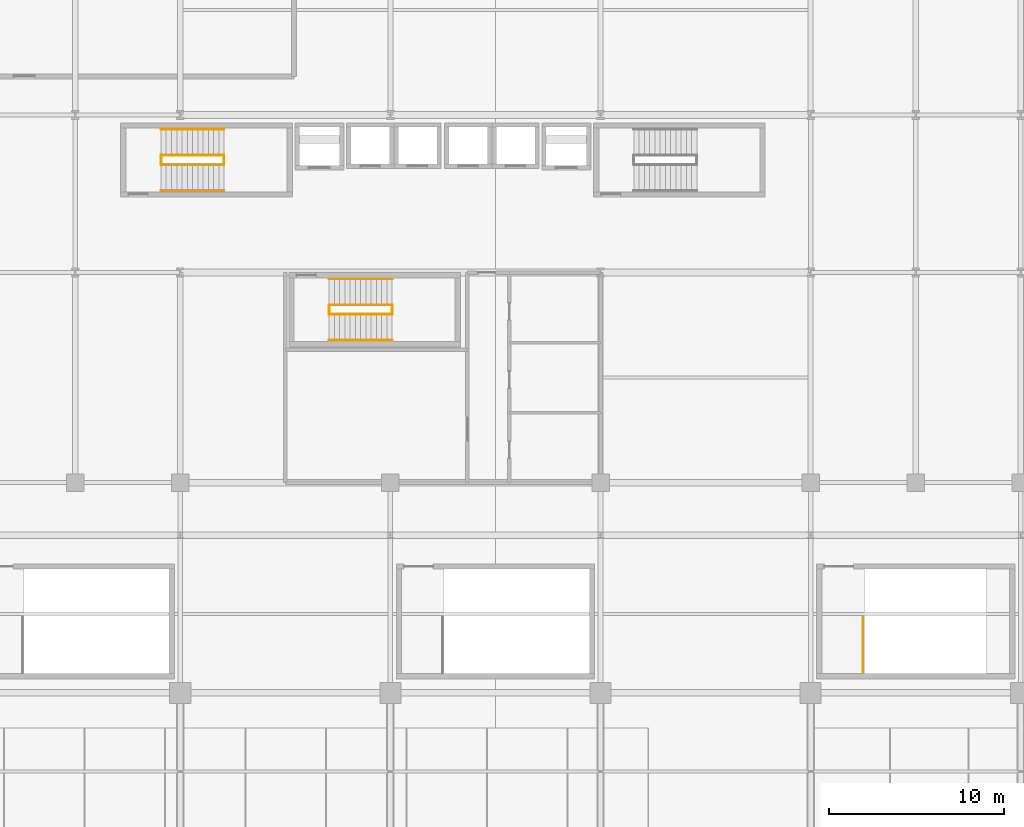
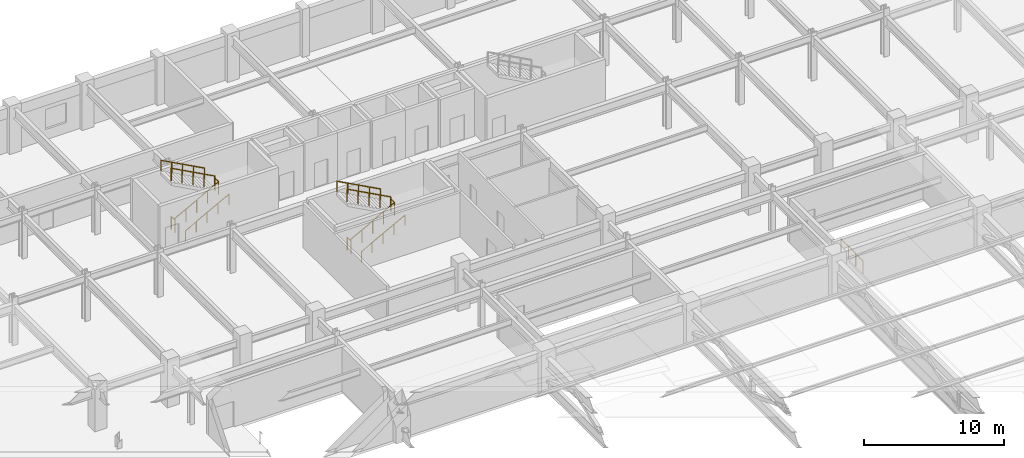
# One storey, part 106 of 108: 13 railings.
"""IFC4 building model written with IfcOpenShell, lengths in metres."""

from ifc_helpers import new_model, si_unit, direction, frame, origin, origin_2d, place, context, subcontext, project, spatial, circle, extrude, material, type_object, element, save


model = new_model("IFC4")

# Units and contexts
model_context = context("Model", 3, precision=1e-05, world=origin(), true_north=direction((0.0, 1.0)))
body_context = subcontext(model_context, "Body", "Model", "MODEL_VIEW")
ifc_project = project(units=[si_unit("LENGTHUNIT", "METRE"), si_unit("AREAUNIT", "SQUARE_METRE"), si_unit("VOLUMEUNIT", "CUBIC_METRE"), si_unit("PLANEANGLEUNIT", "RADIAN"), si_unit("MASSUNIT", "GRAM", prefix="KILO")], contexts=[model_context])

# Site, building, storey
site_placement = place(None, origin())
site = spatial("IfcSite", under=ifc_project, at=site_placement, CompositionType="ELEMENT")
building_placement = place(site_placement, origin())
building = spatial("IfcBuilding", under=site, at=building_placement, Name="Kaldorvane Square Convention Centre", CompositionType="ELEMENT")
storey_placement = place(building_placement, frame((0.0, 0.0, 23.399993896484375)))
storey = spatial("IfcBuildingStorey", under=building, at=storey_placement, Name="L04", CompositionType="ELEMENT", Elevation=23.399993896484375)

# Railings
ifc_material = material(Name="Architectural Painted Steel", Category="steel")
railing_type_1 = type_object("IfcRailingType", Name="RL-GUARD-1120", PredefinedType="BALUSTRADE", material=ifc_material)
for number, where, name in (
    (1, (40.899993896484375, 102.16999816894531, 0.0), "Tower Exit Stair T1 Floor Well Guard (L04)"),
    (2, (44.5, 102.16999816894531, 2.100006103515625), "Tower Exit Stair T1 Half-Landing Guard (L04)"),
):
    element("IfcRailing", number, at=place(storey_placement, frame(where)), inside=storey, type_object=railing_type_1, Name=name, PredefinedType="BALUSTRADE", context=body_context, shape_type="SweptSolid", body=[
        extrude(circle(Radius=0.0240020751953125, at=origin_2d()), frame((0.0, 0.0, 1.0959930419921875), z_axis=(0.0, 1.0, 0.0), x_axis=(-1.0, 0.0, 0.0)), (0.0, 0.0, 1.0), 0.5200042724609375),
        extrude(circle(Radius=0.02099609375, at=origin_2d()), origin(), (0.0, 0.0, 1.0), 1.071990966796875),
        extrude(circle(Radius=0.02099609375, at=origin_2d()), frame((0.0, 0.5200042724609375, 0.0)), (0.0, 0.0, 1.0), 1.071990966796875),
    ])
railing_1_placement = place(storey_placement, frame((40.899993896484375, 102.16000366210938, 0.1615447998046875)))
element("IfcRailing", 3, at=railing_1_placement, inside=storey, type_object=railing_type_1, Name="Tower Exit Stair T1 Flight 1 Guard (L04)", PredefinedType="BALUSTRADE", context=body_context, shape_type="SweptSolid", body=[
    extrude(circle(Radius=0.0240020751953125, at=origin_2d()), frame((0.0, 0.0, 1.0959930419921875), z_axis=(0.880471459419, 0.0, 0.474099155398), x_axis=(0.0, 1.0, 0.0)), (0.0, 0.0, 1.0), 4.0887298583984375),
    extrude(circle(Radius=0.02099609375, at=origin_2d()), origin(), (0.0, 0.0, 1.0), 1.071990966796875),
    extrude(circle(Radius=0.02099609375, at=origin_2d()), frame((0.899993896484375, 0.0, 0.484619140625)), (0.0, 0.0, 1.0), 1.071990966796875),
    extrude(circle(Radius=0.02099609375, at=origin_2d()), frame((1.8000030517578125, 0.0, 0.96923828125)), (0.0, 0.0, 1.0), 1.071990966796875),
    extrude(circle(Radius=0.02099609375, at=origin_2d()), frame((2.70001220703125, 0.0, 1.4538421630859375)), (0.0, 0.0, 1.0), 1.071990966796875),
    extrude(circle(Radius=0.02099609375, at=origin_2d()), frame((3.600006103515625, 0.0, 1.9384613037109375)), (0.0, 0.0, 1.0), 1.071990966796875),
])
railing_2_placement = place(storey_placement, frame((44.5, 102.69999694824219, 2.2615509033203125)))
element("IfcRailing", 4, at=railing_2_placement, inside=storey, type_object=railing_type_1, Name="Tower Exit Stair T1 Flight 2 Guard (L04)", PredefinedType="BALUSTRADE", context=body_context, shape_type="SweptSolid", body=[
    extrude(circle(Radius=0.0240020751953125, at=origin_2d()), frame((0.0, 0.0, 1.0959930419921875), z_axis=(-0.880471459419, 0.0, 0.474099155398), x_axis=(0.0, -1.0, 0.0)), (0.0, 0.0, 1.0), 4.0887298583984375),
    extrude(circle(Radius=0.02099609375, at=origin_2d()), origin(), (0.0, 0.0, 1.0), 1.071990966796875),
    extrude(circle(Radius=0.02099609375, at=origin_2d()), frame((-0.899993896484375, 0.0, 0.484619140625)), (0.0, 0.0, 1.0), 1.071990966796875),
    extrude(circle(Radius=0.02099609375, at=origin_2d()), frame((-1.8000030517578125, 0.0, 0.96923828125)), (0.0, 0.0, 1.0), 1.071990966796875),
    extrude(circle(Radius=0.02099609375, at=origin_2d()), frame((-2.70001220703125, 0.0, 1.4538421630859375)), (0.0, 0.0, 1.0), 1.071990966796875),
    extrude(circle(Radius=0.02099609375, at=origin_2d()), frame((-3.600006103515625, 0.0, 1.9384613037109375)), (0.0, 0.0, 1.0), 1.071990966796875),
])
for number, where, name in (
    (5, (50.5, 93.6199951171875, 0.0), "Tower Exit Stair T3 Floor Well Guard (L04)"),
    (6, (54.100006103515625, 93.6199951171875, 2.100006103515625), "Tower Exit Stair T3 Half-Landing Guard (L04)"),
):
    element("IfcRailing", number, at=place(storey_placement, frame(where)), inside=storey, type_object=railing_type_1, Name=name, PredefinedType="BALUSTRADE", context=body_context, shape_type="SweptSolid", body=[
        extrude(circle(Radius=0.0240020751953125, at=origin_2d()), frame((0.0, 0.0, 1.0959930419921875), z_axis=(0.0, 1.0, 0.0), x_axis=(-1.0, 0.0, 0.0)), (0.0, 0.0, 1.0), 0.5200042724609375),
        extrude(circle(Radius=0.02099609375, at=origin_2d()), origin(), (0.0, 0.0, 1.0), 1.071990966796875),
        extrude(circle(Radius=0.02099609375, at=origin_2d()), frame((0.0, 0.5200042724609375, 0.0)), (0.0, 0.0, 1.0), 1.071990966796875),
    ])
railing_3_placement = place(storey_placement, frame((50.5, 93.61000061035156, 0.1615447998046875)))
element("IfcRailing", 7, at=railing_3_placement, inside=storey, type_object=railing_type_1, Name="Tower Exit Stair T3 Flight 1 Guard (L04)", PredefinedType="BALUSTRADE", context=body_context, shape_type="SweptSolid", body=[
    extrude(circle(Radius=0.0240020751953125, at=origin_2d()), frame((0.0, 0.0, 1.0959930419921875), z_axis=(0.880471459419, 0.0, 0.474099155398), x_axis=(0.0, 1.0, 0.0)), (0.0, 0.0, 1.0), 4.0887298583984375),
    extrude(circle(Radius=0.02099609375, at=origin_2d()), origin(), (0.0, 0.0, 1.0), 1.071990966796875),
    extrude(circle(Radius=0.02099609375, at=origin_2d()), frame((0.899993896484375, 0.0, 0.484619140625)), (0.0, 0.0, 1.0), 1.071990966796875),
    extrude(circle(Radius=0.02099609375, at=origin_2d()), frame((1.8000030517578125, 0.0, 0.96923828125)), (0.0, 0.0, 1.0), 1.071990966796875),
    extrude(circle(Radius=0.02099609375, at=origin_2d()), frame((2.70001220703125, 0.0, 1.4538421630859375)), (0.0, 0.0, 1.0), 1.071990966796875),
    extrude(circle(Radius=0.02099609375, at=origin_2d()), frame((3.600006103515625, 0.0, 1.9384613037109375)), (0.0, 0.0, 1.0), 1.071990966796875),
])
railing_4_placement = place(storey_placement, frame((54.100006103515625, 94.14999389648438, 2.2615509033203125)))
element("IfcRailing", 8, at=railing_4_placement, inside=storey, type_object=railing_type_1, Name="Tower Exit Stair T3 Flight 2 Guard (L04)", PredefinedType="BALUSTRADE", context=body_context, shape_type="SweptSolid", body=[
    extrude(circle(Radius=0.0240020751953125, at=origin_2d()), frame((0.0, 0.0, 1.0959930419921875), z_axis=(-0.880471459419, 0.0, 0.474099155398), x_axis=(0.0, -1.0, 0.0)), (0.0, 0.0, 1.0), 4.0887298583984375),
    extrude(circle(Radius=0.02099609375, at=origin_2d()), origin(), (0.0, 0.0, 1.0), 1.071990966796875),
    extrude(circle(Radius=0.02099609375, at=origin_2d()), frame((-0.899993896484375, 0.0, 0.484619140625)), (0.0, 0.0, 1.0), 1.071990966796875),
    extrude(circle(Radius=0.02099609375, at=origin_2d()), frame((-1.8000030517578125, 0.0, 0.96923828125)), (0.0, 0.0, 1.0), 1.071990966796875),
    extrude(circle(Radius=0.02099609375, at=origin_2d()), frame((-2.70001220703125, 0.0, 1.4538421630859375)), (0.0, 0.0, 1.0), 1.071990966796875),
    extrude(circle(Radius=0.02099609375, at=origin_2d()), frame((-3.600006103515625, 0.0, 1.9384613037109375)), (0.0, 0.0, 1.0), 1.071990966796875),
])
railing_5_placement = place(storey_placement, frame((80.99000549316406, 73.13999938964844, 0.0)))
element("IfcRailing", 9, at=railing_5_placement, inside=storey, type_object=railing_type_1, Name="Convention Exit Stair C15 Floor Well Guard (L04)", PredefinedType="BALUSTRADE", context=body_context, shape_type="SweptSolid", body=[
    extrude(circle(Radius=0.0240020751953125, at=origin_2d()), frame((0.0, 0.0, 1.0959930419921875), z_axis=(0.0, 1.0, 0.0), x_axis=(-1.0, 0.0, 0.0)), (0.0, 0.0, 1.0), 3.160003662109375),
    extrude(circle(Radius=0.02099609375, at=origin_2d()), origin(), (0.0, 0.0, 1.0), 1.071990966796875),
    extrude(circle(Radius=0.02099609375, at=origin_2d()), frame((0.0, 1.0533294677734375, 0.0)), (0.0, 0.0, 1.0), 1.071990966796875),
    extrude(circle(Radius=0.02099609375, at=origin_2d()), frame((0.0, 2.1066741943359375, 0.0)), (0.0, 0.0, 1.0), 1.071990966796875),
    extrude(circle(Radius=0.02099609375, at=origin_2d()), frame((0.0, 3.160003662109375, 0.0)), (0.0, 0.0, 1.0), 1.071990966796875),
])
railing_type_2 = type_object("IfcRailingType", Name="RL-HAND-915", PredefinedType="HANDRAIL", material=ifc_material)
railing_6_placement = place(storey_placement, frame((40.899993896484375, 100.67999267578125, 0.1615447998046875)))
element("IfcRailing", 10, at=railing_6_placement, inside=storey, type_object=railing_type_2, Name="Tower Exit Stair T1 Wall Handrail 1 (L04)", PredefinedType="HANDRAIL", context=body_context, shape_type="SweptSolid", body=[
    extrude(circle(Radius=0.0240020751953125, at=origin_2d()), frame((0.0, 0.0, 0.8909912109375), z_axis=(0.880471459419, 0.0, 0.474099155398), x_axis=(0.0, 1.0, 0.0)), (0.0, 0.0, 1.0), 4.0887298583984375),
    extrude(circle(Radius=0.02099609375, at=origin_2d()), origin(), (0.0, 0.0, 1.0), 0.8669891357421875),
    extrude(circle(Radius=0.02099609375, at=origin_2d()), frame((0.899993896484375, 0.0, 0.484619140625)), (0.0, 0.0, 1.0), 0.8669891357421875),
    extrude(circle(Radius=0.02099609375, at=origin_2d()), frame((1.8000030517578125, 0.0, 0.96923828125)), (0.0, 0.0, 1.0), 0.8669891357421875),
    extrude(circle(Radius=0.02099609375, at=origin_2d()), frame((2.70001220703125, 0.0, 1.4538421630859375)), (0.0, 0.0, 1.0), 0.8669891357421875),
    extrude(circle(Radius=0.02099609375, at=origin_2d()), frame((3.600006103515625, 0.0, 1.9384613037109375)), (0.0, 0.0, 1.0), 0.8669891357421875),
])
railing_7_placement = place(storey_placement, frame((44.5, 104.17999267578125, 2.2615509033203125)))
element("IfcRailing", 11, at=railing_7_placement, inside=storey, type_object=railing_type_2, Name="Tower Exit Stair T1 Wall Handrail 2 (L04)", PredefinedType="HANDRAIL", context=body_context, shape_type="SweptSolid", body=[
    extrude(circle(Radius=0.0240020751953125, at=origin_2d()), frame((0.0, 0.0, 0.8909912109375), z_axis=(-0.880471459419, 0.0, 0.474099155398), x_axis=(0.0, -1.0, 0.0)), (0.0, 0.0, 1.0), 4.0887298583984375),
    extrude(circle(Radius=0.02099609375, at=origin_2d()), origin(), (0.0, 0.0, 1.0), 0.8669891357421875),
    extrude(circle(Radius=0.02099609375, at=origin_2d()), frame((-0.899993896484375, 0.0, 0.484619140625)), (0.0, 0.0, 1.0), 0.8669891357421875),
    extrude(circle(Radius=0.02099609375, at=origin_2d()), frame((-1.8000030517578125, 0.0, 0.96923828125)), (0.0, 0.0, 1.0), 0.8669891357421875),
    extrude(circle(Radius=0.02099609375, at=origin_2d()), frame((-2.70001220703125, 0.0, 1.4538421630859375)), (0.0, 0.0, 1.0), 0.8669891357421875),
    extrude(circle(Radius=0.02099609375, at=origin_2d()), frame((-3.600006103515625, 0.0, 1.9384613037109375)), (0.0, 0.0, 1.0), 0.8669891357421875),
])
railing_8_placement = place(storey_placement, frame((50.5, 92.1300048828125, 0.1615447998046875)))
element("IfcRailing", 12, at=railing_8_placement, inside=storey, type_object=railing_type_2, Name="Tower Exit Stair T3 Wall Handrail 1 (L04)", PredefinedType="HANDRAIL", context=body_context, shape_type="SweptSolid", body=[
    extrude(circle(Radius=0.0240020751953125, at=origin_2d()), frame((0.0, 0.0, 0.8909912109375), z_axis=(0.880471459419, 0.0, 0.474099155398), x_axis=(0.0, 1.0, 0.0)), (0.0, 0.0, 1.0), 4.0887298583984375),
    extrude(circle(Radius=0.02099609375, at=origin_2d()), origin(), (0.0, 0.0, 1.0), 0.8669891357421875),
    extrude(circle(Radius=0.02099609375, at=origin_2d()), frame((0.899993896484375, 0.0, 0.484619140625)), (0.0, 0.0, 1.0), 0.8669891357421875),
    extrude(circle(Radius=0.02099609375, at=origin_2d()), frame((1.8000030517578125, 0.0, 0.96923828125)), (0.0, 0.0, 1.0), 0.8669891357421875),
    extrude(circle(Radius=0.02099609375, at=origin_2d()), frame((2.70001220703125, 0.0, 1.4538421630859375)), (0.0, 0.0, 1.0), 0.8669891357421875),
    extrude(circle(Radius=0.02099609375, at=origin_2d()), frame((3.600006103515625, 0.0, 1.9384613037109375)), (0.0, 0.0, 1.0), 0.8669891357421875),
])
railing_9_placement = place(storey_placement, frame((54.100006103515625, 95.6300048828125, 2.2615509033203125)))
element("IfcRailing", 13, at=railing_9_placement, inside=storey, type_object=railing_type_2, Name="Tower Exit Stair T3 Wall Handrail 2 (L04)", PredefinedType="HANDRAIL", context=body_context, shape_type="SweptSolid", body=[
    extrude(circle(Radius=0.0240020751953125, at=origin_2d()), frame((0.0, 0.0, 0.8909912109375), z_axis=(-0.880471459419, 0.0, 0.474099155398), x_axis=(0.0, -1.0, 0.0)), (0.0, 0.0, 1.0), 4.0887298583984375),
    extrude(circle(Radius=0.02099609375, at=origin_2d()), origin(), (0.0, 0.0, 1.0), 0.8669891357421875),
    extrude(circle(Radius=0.02099609375, at=origin_2d()), frame((-0.899993896484375, 0.0, 0.484619140625)), (0.0, 0.0, 1.0), 0.8669891357421875),
    extrude(circle(Radius=0.02099609375, at=origin_2d()), frame((-1.8000030517578125, 0.0, 0.96923828125)), (0.0, 0.0, 1.0), 0.8669891357421875),
    extrude(circle(Radius=0.02099609375, at=origin_2d()), frame((-2.70001220703125, 0.0, 1.4538421630859375)), (0.0, 0.0, 1.0), 0.8669891357421875),
    extrude(circle(Radius=0.02099609375, at=origin_2d()), frame((-3.600006103515625, 0.0, 1.9384613037109375)), (0.0, 0.0, 1.0), 0.8669891357421875),
])

save(model, "model.ifc")
